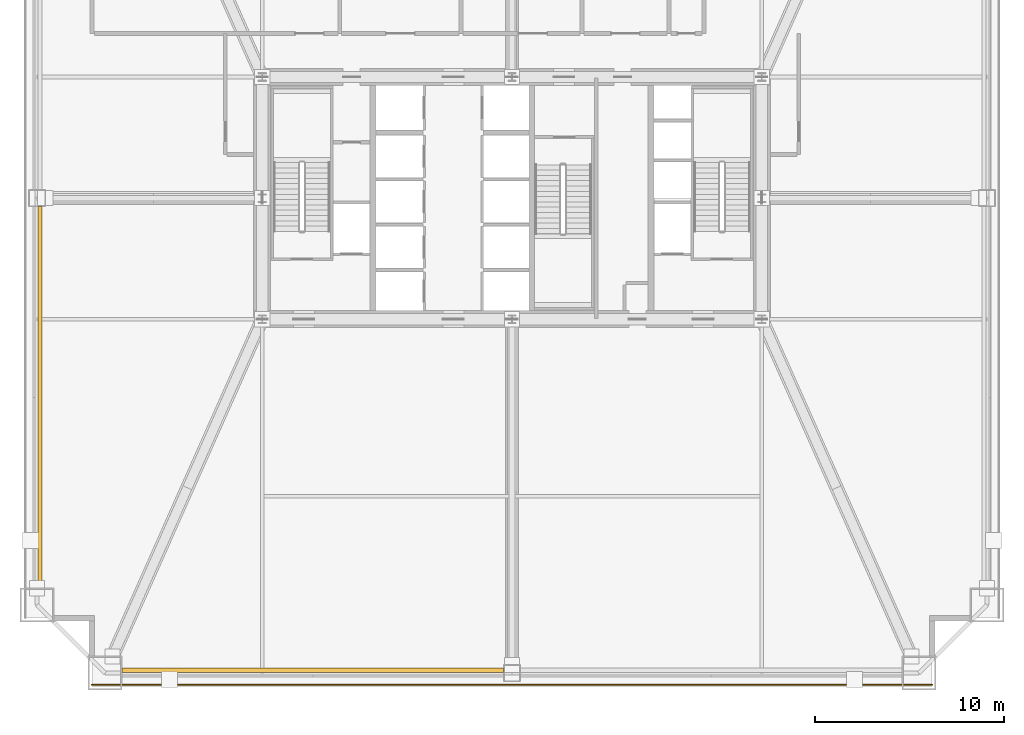
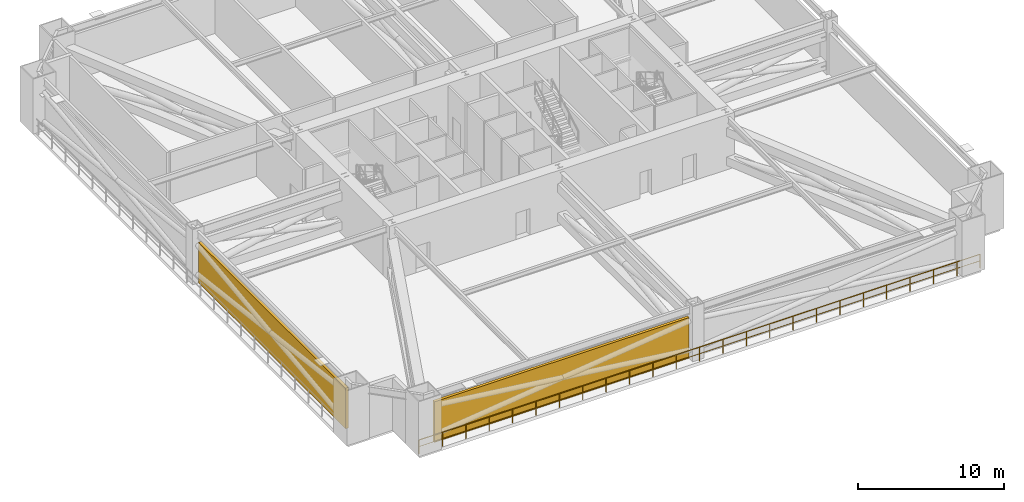
# One storey, part 8 of 11: 2 shading devices, 1 railing.
"""IFC4 building model written with IfcOpenShell, lengths in metres."""

from ifc_helpers import new_model, si_unit, direction, frame, origin, origin_2d, place, context, subcontext, project, spatial, rectangle, extrude, source, transform, mapped, material, layer, layer_set, type_object, element, save


model = new_model("IFC4")

# Units and contexts
model_context = context("Model", 3, precision=1e-05, world=origin(), true_north=direction((0.0, 1.0)))
body_context = subcontext(model_context, "Body", "Model", "MODEL_VIEW")
ifc_project = project(units=[si_unit("LENGTHUNIT", "METRE"), si_unit("AREAUNIT", "SQUARE_METRE"), si_unit("VOLUMEUNIT", "CUBIC_METRE"), si_unit("PLANEANGLEUNIT", "RADIAN"), si_unit("MASSUNIT", "GRAM", prefix="KILO"), si_unit("THERMODYNAMICTEMPERATUREUNIT", "KELVIN"), si_unit("POWERUNIT", "WATT")], contexts=[model_context])

# Site, building, storey
site_placement = place(None, origin())
site = spatial("IfcSite", under=ifc_project, at=site_placement, CompositionType="ELEMENT")
building_placement = place(site_placement, origin())
building = spatial("IfcBuilding", under=site, at=building_placement, Name="Yuzanri Waterfront Tower", CompositionType="ELEMENT")
storey_placement = place(building_placement, frame((0.0, 0.0, 41.39990234375)))
storey = spatial("IfcBuildingStorey", under=building, at=storey_placement, Name="L10", CompositionType="ELEMENT", Elevation=41.39990234375)

# Shading devices
ifc_material_1 = material(Name="Anodized Architectural Bronze", Category="metal")
ifc_layer_1 = layer(ifc_material_1, 0.219970703125)
ifc_layer_set_1 = layer_set([ifc_layer_1], Name="Anodized Architectural Bronze")
shading_device_type = type_object("IfcShadingDeviceType", Name="Anodized Bronze Refuge Wind-Diffusing Louvre Screen 220", PredefinedType="USERDEFINED", material=ifc_layer_set_1)
shared_shape_1 = source(origin(), body_context, "Body", "SweptSolid", [
    extrude(rectangle(XDim=20.14990234375, YDim=0.219970703125, at=origin_2d()), origin(), (0.0, 0.0, 1.0), 3.39990234375),
])
shading_device_1_placement = place(storey_placement, frame((26.47509765625, 0.85009765625, 0.000244140625), z_axis=(0.0, 0.0, 1.0), x_axis=(1.0, 0.0, 0.0)))
element("IfcShadingDevice", 1, at=shading_device_1_placement, inside=storey, type_object=shading_device_type, Name="L10 Wind-Diffusing Refuge Louvre SL", ObjectType="LOUVRE", PredefinedType="USERDEFINED", context=body_context, shape_type="MappedRepresentation", body=[
    mapped(shared_shape_1, transform((0.0, 0.0, 0.0), scale=1.0)),
])
shared_shape_2 = source(origin(), body_context, "Body", "SweptSolid", [
    extrude(rectangle(XDim=0.219970703125, YDim=20.14990234375, at=origin_2d()), origin(), (0.0, 0.0, 1.0), 3.39990234375),
])
shading_device_2_placement = place(storey_placement, frame((12.050048828125, 15.27490234375, 0.000244140625), z_axis=(0.0, 0.0, 1.0), x_axis=(1.0, 0.0, 0.0)))
element("IfcShadingDevice", 2, at=shading_device_2_placement, inside=storey, type_object=shading_device_type, Name="L10 Wind-Diffusing Refuge Louvre WL", ObjectType="LOUVRE", PredefinedType="USERDEFINED", context=body_context, shape_type="MappedRepresentation", body=[
    mapped(shared_shape_2, transform((0.0, 0.0, 0.0), scale=1.0)),
])

# Railing
ifc_material_2 = material(Name="Anodized Architectural Bronze", Category="metal")
ifc_layer_2 = layer(ifc_material_2, 0.080078125)
ifc_layer_set_2 = layer_set([ifc_layer_2], Name="Anodized Architectural Bronze")
railing_type = type_object("IfcRailingType", Name="Laminated Glass and Bronze Balcony Guardrail 1200", PredefinedType="BALUSTRADE", material=ifc_layer_set_2)
shared_shape_3 = source(origin(), body_context, "Body", "SweptSolid", [
    extrude(rectangle(XDim=0.050048828125, YDim=0.050048828125, at=origin_2d()), frame((0.0, 0.0, 1.1748046875), z_axis=(1.0, 0.0, 0.0), x_axis=(0.0, 1.0, 0.0)), (0.0, 0.0, 1.0), 44.39990234375),
    extrude(rectangle(XDim=0.035888671875, YDim=0.030029296875, at=origin_2d()), frame((0.0, 0.0, 0.6240234375), z_axis=(1.0, 0.0, 0.0), x_axis=(0.0, 1.0, 0.0)), (0.0, 0.0, 1.0), 44.39990234375),
    extrude(rectangle(XDim=0.0458984375, YDim=0.0458984375, at=origin_2d()), origin(), (0.0, 0.0, 1.0), 1.14990234375),
    extrude(rectangle(XDim=0.0458984375, YDim=0.0458984375, at=origin_2d()), frame((1.85009765625, 0.0, 0.0)), (0.0, 0.0, 1.0), 1.14990234375),
    extrude(rectangle(XDim=0.0458984375, YDim=0.0458984375, at=origin_2d()), frame((3.699951171875, 0.0, 0.0)), (0.0, 0.0, 1.0), 1.14990234375),
    extrude(rectangle(XDim=0.0458984375, YDim=0.0458984375, at=origin_2d()), frame((5.550048828125, 0.0, 0.0)), (0.0, 0.0, 1.0), 1.14990234375),
    extrude(rectangle(XDim=0.0458984375, YDim=0.0458984375, at=origin_2d()), frame((7.39990234375, 0.0, 0.0)), (0.0, 0.0, 1.0), 1.14990234375),
    extrude(rectangle(XDim=0.0458984375, YDim=0.0458984375, at=origin_2d()), frame((9.25, 0.0, 0.0)), (0.0, 0.0, 1.0), 1.14990234375),
    extrude(rectangle(XDim=0.0458984375, YDim=0.0458984375, at=origin_2d()), frame((11.10009765625, 0.0, 0.0)), (0.0, 0.0, 1.0), 1.14990234375),
    extrude(rectangle(XDim=0.0458984375, YDim=0.0458984375, at=origin_2d()), frame((12.949951171875, 0.0, 0.0)), (0.0, 0.0, 1.0), 1.14990234375),
    extrude(rectangle(XDim=0.0458984375, YDim=0.0458984375, at=origin_2d()), frame((14.800048828125, 0.0, 0.0)), (0.0, 0.0, 1.0), 1.14990234375),
    extrude(rectangle(XDim=0.0458984375, YDim=0.0458984375, at=origin_2d()), frame((16.64990234375, 0.0, 0.0)), (0.0, 0.0, 1.0), 1.14990234375),
    extrude(rectangle(XDim=0.0458984375, YDim=0.0458984375, at=origin_2d()), frame((18.5, 0.0, 0.0)), (0.0, 0.0, 1.0), 1.14990234375),
    extrude(rectangle(XDim=0.0458984375, YDim=0.0458984375, at=origin_2d()), frame((20.349853515625, 0.0, 0.0)), (0.0, 0.0, 1.0), 1.14990234375),
    extrude(rectangle(XDim=0.0458984375, YDim=0.0458984375, at=origin_2d()), frame((22.199951171875, 0.0, 0.0)), (0.0, 0.0, 1.0), 1.14990234375),
    extrude(rectangle(XDim=0.0458984375, YDim=0.0458984375, at=origin_2d()), frame((24.050048828125, 0.0, 0.0)), (0.0, 0.0, 1.0), 1.14990234375),
    extrude(rectangle(XDim=0.0458984375, YDim=0.0458984375, at=origin_2d()), frame((25.89990234375, 0.0, 0.0)), (0.0, 0.0, 1.0), 1.14990234375),
    extrude(rectangle(XDim=0.0458984375, YDim=0.0458984375, at=origin_2d()), frame((27.75, 0.0, 0.0)), (0.0, 0.0, 1.0), 1.14990234375),
    extrude(rectangle(XDim=0.0458984375, YDim=0.0458984375, at=origin_2d()), frame((29.599853515625, 0.0, 0.0)), (0.0, 0.0, 1.0), 1.14990234375),
    extrude(rectangle(XDim=0.0458984375, YDim=0.0458984375, at=origin_2d()), frame((31.449951171875, 0.0, 0.0)), (0.0, 0.0, 1.0), 1.14990234375),
    extrude(rectangle(XDim=0.0458984375, YDim=0.0458984375, at=origin_2d()), frame((33.2998046875, 0.0, 0.0)), (0.0, 0.0, 1.0), 1.14990234375),
    extrude(rectangle(XDim=0.0458984375, YDim=0.0458984375, at=origin_2d()), frame((35.14990234375, 0.0, 0.0)), (0.0, 0.0, 1.0), 1.14990234375),
    extrude(rectangle(XDim=0.0458984375, YDim=0.0458984375, at=origin_2d()), frame((37.0, 0.0, 0.0)), (0.0, 0.0, 1.0), 1.14990234375),
    extrude(rectangle(XDim=0.0458984375, YDim=0.0458984375, at=origin_2d()), frame((38.849853515625, 0.0, 0.0)), (0.0, 0.0, 1.0), 1.14990234375),
    extrude(rectangle(XDim=0.0458984375, YDim=0.0458984375, at=origin_2d()), frame((40.699951171875, 0.0, 0.0)), (0.0, 0.0, 1.0), 1.14990234375),
    extrude(rectangle(XDim=0.0458984375, YDim=0.0458984375, at=origin_2d()), frame((42.5498046875, 0.0, 0.0)), (0.0, 0.0, 1.0), 1.14990234375),
    extrude(rectangle(XDim=0.0458984375, YDim=0.0458984375, at=origin_2d()), frame((44.39990234375, 0.0, 0.0)), (0.0, 0.0, 1.0), 1.14990234375),
])
railing_placement = place(storey_placement, frame((14.800048828125, 0.080078125, 0.0)))
element("IfcRailing", 3, at=railing_placement, inside=storey, type_object=railing_type, Name="L10 South Refuge Edge Guard", PredefinedType="BALUSTRADE", context=body_context, shape_type="MappedRepresentation", body=[
    mapped(shared_shape_3, transform((0.0, 0.0, 0.0), scale=1.0)),
])

save(model, "model.ifc")
